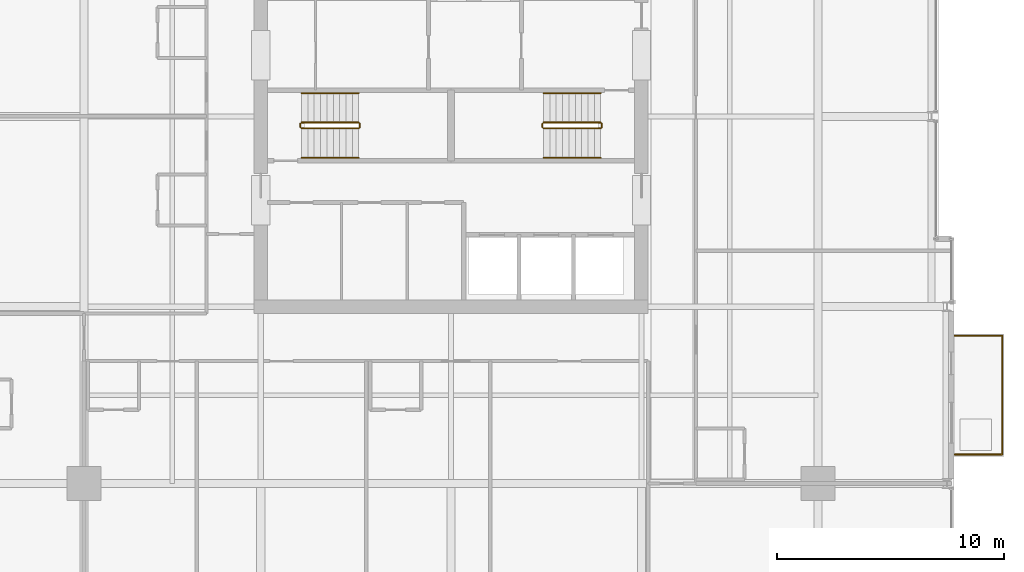
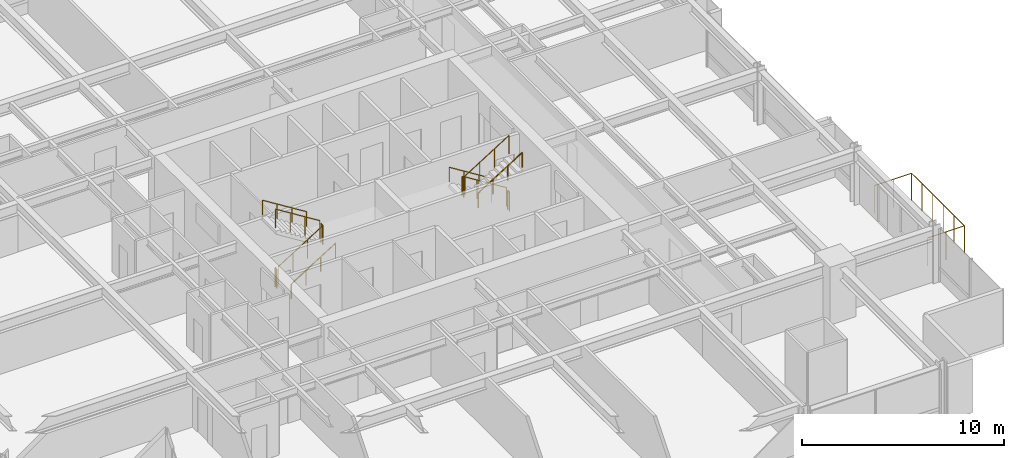
# One storey, part 32 of 33: 13 railings.
"""IFC4 building model written with IfcOpenShell, lengths in metres."""

import ifcopenshell
import ifcopenshell.guid

model = None  # the IFC model being written
_history = None  # IfcOwnerHistory: only IFC2X3 demands one
_inside = {}  # id of a spatial element -> (the spatial element, [elements in it])
_under = {}  # id of a project, library or spatial element -> (it, [spatial elements below it])
_declared = {}  # id of a project -> (the project, [libraries it declares])
_typed = {}  # id of a type object -> (the type object, [elements of that type])
_made_of = {}  # id of a material, layer set ... -> (it, [elements and type objects made of it])


def new_model(schema):
    """Start an empty IFC model of exactly this schema.

    Asked for "IFC4X3", IfcOpenShell would pick the latest addendum, in which some entities
    have other attributes; the version numbers below select the first issue.
    IFC2X3 requires an IfcOwnerHistory on every rooted entity: one is made here for all.
    """
    global model, _history
    if schema == "IFC4X3":
        model = ifcopenshell.file(schema_version=(4, 3, 0, 0))
    else:
        model = ifcopenshell.file(schema=schema)
    _inside.clear()
    _under.clear()
    _declared.clear()
    _typed.clear()
    _made_of.clear()
    _history = None
    if model.schema == "IFC2X3":
        org = make("IfcOrganization", Name="unknown")
        user = make(
            "IfcPersonAndOrganization",
            ThePerson=make("IfcPerson", FamilyName="unknown"),
            TheOrganization=org,
        )
        app = make(
            "IfcApplication",
            ApplicationDeveloper=org,
            Version="unknown",
            ApplicationFullName="unknown",
            ApplicationIdentifier="unknown",
        )
        _history = make(
            "IfcOwnerHistory",
            OwningUser=user,
            OwningApplication=app,
            ChangeAction="ADDED",
            CreationDate=0,
        )
    return model


def make(cls, **values):
    """One entity of the class cls with the attributes given. An attribute that is None is left unset."""
    return model.create_entity(
        cls, **{name: value for name, value in values.items() if value is not None}
    )


def rooted(cls, **values):
    """An entity with a GlobalId (a new one), such as an element, a storey or a relation."""
    return make(cls, GlobalId=ifcopenshell.guid.new(), OwnerHistory=_history, **values)


def si_unit(unit_type, name, prefix=None):
    """IfcSIUnit, for example si_unit("LENGTHUNIT", "METRE", prefix="MILLI")."""
    return make("IfcSIUnit", UnitType=unit_type, Prefix=prefix, Name=name)


def assignment(units):
    """IfcUnitAssignment: the units of a project."""
    return None if units is None else make("IfcUnitAssignment", Units=units)


def point(xyz):
    """IfcCartesianPoint."""
    return None if xyz is None else make("IfcCartesianPoint", Coordinates=xyz)


def direction(xyz):
    """IfcDirection."""
    return None if xyz is None else make("IfcDirection", DirectionRatios=xyz)


def frame(location, z_axis=None, x_axis=None):
    """IfcAxis2Placement3D, a coordinate frame: its origin and axes. An axis left out is left unset."""
    return make(
        "IfcAxis2Placement3D",
        Location=point(location),
        Axis=direction(z_axis),
        RefDirection=direction(x_axis),
    )


def frame_2d(location, x_axis=None):
    """IfcAxis2Placement2D, a coordinate frame in the plane: its origin and x axis."""
    return make(
        "IfcAxis2Placement2D", Location=point(location), RefDirection=direction(x_axis)
    )


def origin():
    """The frame at (0, 0, 0) with its axes left unset."""
    return frame((0.0, 0.0, 0.0))


def origin_2d():
    """The frame at (0, 0) in the plane with its x axis left unset."""
    return frame_2d((0.0, 0.0))


def place(relative_to, where):
    """IfcLocalPlacement: puts the frame where relative to a parent placement (None: the world)."""
    return make(
        "IfcLocalPlacement", PlacementRelTo=relative_to, RelativePlacement=where
    )


def context(
    kind, dimensions, precision=None, world=None, true_north=None, identifier=None
):
    """IfcGeometricRepresentationContext, for example the 3D "Model" context."""
    return make(
        "IfcGeometricRepresentationContext",
        ContextIdentifier=identifier,
        ContextType=kind,
        CoordinateSpaceDimension=dimensions,
        Precision=precision,
        WorldCoordinateSystem=world,
        TrueNorth=true_north,
    )


def subcontext(parent, identifier, kind, view, scale=None):
    """IfcGeometricRepresentationSubContext, for example "Body" below "Model"."""
    return make(
        "IfcGeometricRepresentationSubContext",
        ContextIdentifier=identifier,
        ContextType=kind,
        ParentContext=parent,
        TargetScale=scale,
        TargetView=view,
    )


def project(units=None, contexts=None):
    """IfcProject with its units and contexts."""
    return rooted(
        "IfcProject",
        Name="project",
        RepresentationContexts=contexts,
        UnitsInContext=assignment(units),
    )


def spatial(cls, under=None, at=None, **own):
    """A site, building, storey or space (cls), placed at a placement, below another one or the project."""
    s = rooted(cls, ObjectPlacement=at, **own)
    if under is not None:
        _under.setdefault(under.id(), (under, []))[1].append(s)
    return s


def profile(cls, at=None, kind="AREA", **sizes):
    """A parametric profile (cls). Its sizes go by their IFC names, for example OverallWidth=200.0."""
    return make(cls, ProfileType=kind, Position=at, **sizes)


def circle(**sizes):
    """IfcCircleProfileDef."""
    return profile("IfcCircleProfileDef", **sizes)


def extrude(swept, where, along, depth):
    """IfcExtrudedAreaSolid: the profile swept, set in the frame where, extruded along a direction by depth."""
    return make(
        "IfcExtrudedAreaSolid",
        SweptArea=swept,
        Position=where,
        ExtrudedDirection=direction(along),
        Depth=depth,
    )


def shape(context_of_items, identifier, shape_type, items):
    """IfcShapeRepresentation: the items that make up one representation, for example the "Body"."""
    return make(
        "IfcShapeRepresentation",
        ContextOfItems=context_of_items,
        RepresentationIdentifier=identifier,
        RepresentationType=shape_type,
        Items=items,
    )


def material(Name=None, Category=None):
    """IfcMaterial."""
    return make("IfcMaterial", Name=Name, Category=Category)


def made_of(thing, what):
    """Note that an element or type object is made of a material, layer set ...; save() writes the relation."""
    if what is not None:
        _made_of.setdefault(what.id(), (what, []))[1].append(thing)
    return thing


def type_object(cls, material=None, **own):
    """A type object (cls), such as IfcWallType, which elements share."""
    return made_of(rooted(cls, **own), material)


def element(
    cls,
    number,
    at=None,
    inside=None,
    cuts=None,
    type_object=None,
    material=None,
    context=None,
    identifier="Body",
    shape_type=None,
    held_by="IfcProductDefinitionShape",
    body=None,
    shapes=None,
    **own,
):
    """One element of the class cls, such as IfcWall. Its Tag is "e" and its number.

    at: its placement. inside: the storey or other place that contains it. cuts: it is an
    opening in that element (IfcRelVoidsElement). A single representation is given by context,
    identifier, shape_type and body (its items); several are given by shapes. held_by: the class
    of the entity that holds the representations. save() writes the other relations.
    """
    e = rooted(cls, Tag="e%d" % number, ObjectPlacement=at, **own)
    if body is not None:
        shapes = [shape(context, identifier, shape_type, body)]
    if shapes is not None:
        e.Representation = make(held_by, Representations=shapes)
    if inside is not None:
        _inside.setdefault(inside.id(), (inside, []))[1].append(e)
    if cuts is not None:
        rooted(
            "IfcRelVoidsElement", RelatingBuildingElement=cuts, RelatedOpeningElement=e
        )
    if type_object is not None:
        _typed.setdefault(type_object.id(), (type_object, []))[1].append(e)
    return made_of(e, material)


def aggregate(whole, parts):
    """IfcRelAggregates: a whole, such as a stair, and the parts it consists of."""
    return rooted("IfcRelAggregates", RelatingObject=whole, RelatedObjects=parts)


def save(model, path):
    """Write the relations noted so far, then the file.

    IfcRelAggregates (storeys below a building ...), IfcRelContainedInSpatialStructure (elements
    in a storey), IfcRelDefinesByType, IfcRelAssociatesMaterial and IfcRelDeclares: one each for
    every whole, place, type object, material and project.
    """
    for whole, parts in _under.values():
        aggregate(whole, parts)
    for where, things in _inside.values():
        rooted(
            "IfcRelContainedInSpatialStructure",
            RelatedElements=things,
            RelatingStructure=where,
        )
    for kind, things in _typed.values():
        rooted("IfcRelDefinesByType", RelatedObjects=things, RelatingType=kind)
    for what, things in _made_of.values():
        rooted("IfcRelAssociatesMaterial", RelatedObjects=things, RelatingMaterial=what)
    for by, libraries in _declared.values():
        rooted("IfcRelDeclares", RelatingContext=by, RelatedDefinitions=libraries)
    model.write(path)


model = new_model("IFC4")

# Units and contexts
model_context = context("Model", 3, precision=1e-05, world=origin(), true_north=direction((0.0, 1.0)))
body_context = subcontext(model_context, "Body", "Model", "MODEL_VIEW")
ifc_project = project(units=[si_unit("LENGTHUNIT", "METRE"), si_unit("AREAUNIT", "SQUARE_METRE"), si_unit("VOLUMEUNIT", "CUBIC_METRE"), si_unit("PLANEANGLEUNIT", "RADIAN"), si_unit("MASSUNIT", "GRAM", prefix="KILO")], contexts=[model_context])

# Site, building, storey
site_placement = place(None, origin())
site = spatial("IfcSite", under=ifc_project, at=site_placement, CompositionType="ELEMENT")
building_placement = place(site_placement, origin())
building = spatial("IfcBuilding", under=site, at=building_placement, Name="Drelvath Grand Hotel", CompositionType="ELEMENT")
storey_placement = place(building_placement, frame((0.0, 0.0, 119.800048828125)))
storey = spatial("IfcBuildingStorey", under=building, at=storey_placement, Name="L30", CompositionType="ELEMENT", Elevation=119.800048828125)

# Railings
ifc_material_1 = material(Name="Painted Steel S275", Category="steel")
railing_type_1 = type_object("IfcRailingType", Name="Core Stair Wall Handrail 900", PredefinedType="HANDRAIL", material=ifc_material_1)
railing_1_placement = place(storey_placement, frame((-6.60009765625, 25.169921875, 0.175048828125)))
element("IfcRailing", 1, at=railing_1_placement, inside=storey, type_object=railing_type_1, Name="L30 ST-1 stair handrail 1", PredefinedType="HANDRAIL", context=body_context, shape_type="SweptSolid", body=[
    extrude(circle(Radius=0.02392578125, at=origin_2d()), frame((0.0, 0.0, 0.8759765625), z_axis=(0.848007534815, 0.0, 0.529984170421), x_axis=(0.0, 1.0, 0.0)), (0.0, 0.0, 1.0), 2.9716796875),
    extrude(circle(Radius=0.02099609375, at=origin_2d()), origin(), (0.0, 0.0, 1.0), 0.851806640625),
    extrude(circle(Radius=0.02099609375, at=origin_2d()), frame((0.840087890625, 0.0, 0.52490234375)), (0.0, 0.0, 1.0), 0.851806640625),
    extrude(circle(Radius=0.02099609375, at=origin_2d()), frame((1.679931640625, 0.0, 1.050048828125)), (0.0, 0.0, 1.0), 0.851806640625),
    extrude(circle(Radius=0.02099609375, at=origin_2d()), frame((2.52001953125, 0.0, 1.574951171875)), (0.0, 0.0, 1.0), 0.851806640625),
])
for number, where, name in (
    (2, (-4.080078125, 28.030029296875, 1.925048828125), "L30 ST-1 stair handrail 2"),
    (3, (6.60009765625, 28.030029296875, 0.175048828125), "L30 ST-2 stair handrail 1"),
):
    element("IfcRailing", number, at=place(storey_placement, frame(where)), inside=storey, type_object=railing_type_1, Name=name, PredefinedType="HANDRAIL", context=body_context, shape_type="SweptSolid", body=[
        extrude(circle(Radius=0.02392578125, at=origin_2d()), frame((0.0, 0.0, 0.8759765625), z_axis=(-0.848007534815, 0.0, 0.529984170421), x_axis=(0.0, -1.0, 0.0)), (0.0, 0.0, 1.0), 2.9716796875),
        extrude(circle(Radius=0.02099609375, at=origin_2d()), origin(), (0.0, 0.0, 1.0), 0.851806640625),
        extrude(circle(Radius=0.02099609375, at=origin_2d()), frame((-0.840087890625, 0.0, 0.52490234375)), (0.0, 0.0, 1.0), 0.851806640625),
        extrude(circle(Radius=0.02099609375, at=origin_2d()), frame((-1.679931640625, 0.0, 1.050048828125)), (0.0, 0.0, 1.0), 0.851806640625),
        extrude(circle(Radius=0.02099609375, at=origin_2d()), frame((-2.52001953125, 0.0, 1.574951171875)), (0.0, 0.0, 1.0), 0.851806640625),
    ])
railing_2_placement = place(storey_placement, frame((4.080078125, 25.169921875, 1.925048828125)))
element("IfcRailing", 4, at=railing_2_placement, inside=storey, type_object=railing_type_1, Name="L30 ST-2 stair handrail 2", PredefinedType="HANDRAIL", context=body_context, shape_type="SweptSolid", body=[
    extrude(circle(Radius=0.02392578125, at=origin_2d()), frame((0.0, 0.0, 0.8759765625), z_axis=(0.848007534815, 0.0, 0.529984170421), x_axis=(0.0, 1.0, 0.0)), (0.0, 0.0, 1.0), 2.9716796875),
    extrude(circle(Radius=0.02099609375, at=origin_2d()), origin(), (0.0, 0.0, 1.0), 0.851806640625),
    extrude(circle(Radius=0.02099609375, at=origin_2d()), frame((0.840087890625, 0.0, 0.52490234375)), (0.0, 0.0, 1.0), 0.851806640625),
    extrude(circle(Radius=0.02099609375, at=origin_2d()), frame((1.679931640625, 0.0, 1.050048828125)), (0.0, 0.0, 1.0), 0.851806640625),
    extrude(circle(Radius=0.02099609375, at=origin_2d()), frame((2.52001953125, 0.0, 1.574951171875)), (0.0, 0.0, 1.0), 0.851806640625),
])
railing_type_2 = type_object("IfcRailingType", Name="Core Stair Well Guardrail 1100", PredefinedType="GUARDRAIL", material=ifc_material_1)
railing_3_placement = place(storey_placement, frame((-6.60009765625, 26.469970703125, 0.175048828125)))
element("IfcRailing", 5, at=railing_3_placement, inside=storey, type_object=railing_type_2, Name="L30 ST-1 stair guard 1", PredefinedType="GUARDRAIL", context=body_context, shape_type="SweptSolid", body=[
    extrude(circle(Radius=0.02392578125, at=origin_2d()), frame((0.0, 0.0, 1.1259765625), z_axis=(0.848007534815, 0.0, 0.529984170421), x_axis=(0.0, 1.0, 0.0)), (0.0, 0.0, 1.0), 2.9716796875),
    extrude(circle(Radius=0.02099609375, at=origin_2d()), origin(), (0.0, 0.0, 1.0), 1.101806640625),
    extrude(circle(Radius=0.02099609375, at=origin_2d()), frame((0.840087890625, 0.0, 0.52490234375)), (0.0, 0.0, 1.0), 1.101806640625),
    extrude(circle(Radius=0.02099609375, at=origin_2d()), frame((1.679931640625, 0.0, 1.050048828125)), (0.0, 0.0, 1.0), 1.101806640625),
    extrude(circle(Radius=0.02099609375, at=origin_2d()), frame((2.52001953125, 0.0, 1.574951171875)), (0.0, 0.0, 1.0), 1.101806640625),
])
railing_4_placement = place(storey_placement, frame((-4.030029296875, 26.52001953125, 1.75)))
element("IfcRailing", 6, at=railing_4_placement, inside=storey, type_object=railing_type_2, Name="L30 ST-1 stair guard 2", PredefinedType="GUARDRAIL", context=body_context, shape_type="SweptSolid", body=[
    extrude(circle(Radius=0.02392578125, at=origin_2d()), frame((0.0, 0.0, 1.1259765625), z_axis=(0.0, 1.0, 0.0), x_axis=(-1.0, 0.0, 0.0)), (0.0, 0.0, 1.0), 0.159912109375),
    extrude(circle(Radius=0.02099609375, at=origin_2d()), origin(), (0.0, 0.0, 1.0), 1.101806640625),
    extrude(circle(Radius=0.02099609375, at=origin_2d()), frame((0.0, 0.159912109375, 0.0)), (0.0, 0.0, 1.0), 1.101806640625),
])
railing_5_placement = place(storey_placement, frame((-4.080078125, 26.72998046875, 1.925048828125)))
element("IfcRailing", 7, at=railing_5_placement, inside=storey, type_object=railing_type_2, Name="L30 ST-1 stair guard 3", PredefinedType="GUARDRAIL", context=body_context, shape_type="SweptSolid", body=[
    extrude(circle(Radius=0.02392578125, at=origin_2d()), frame((0.0, 0.0, 1.1259765625), z_axis=(-0.848007534815, 0.0, 0.529984170421), x_axis=(0.0, -1.0, 0.0)), (0.0, 0.0, 1.0), 2.9716796875),
    extrude(circle(Radius=0.02099609375, at=origin_2d()), origin(), (0.0, 0.0, 1.0), 1.101806640625),
    extrude(circle(Radius=0.02099609375, at=origin_2d()), frame((-0.840087890625, 0.0, 0.52490234375)), (0.0, 0.0, 1.0), 1.101806640625),
    extrude(circle(Radius=0.02099609375, at=origin_2d()), frame((-1.679931640625, 0.0, 1.050048828125)), (0.0, 0.0, 1.0), 1.101806640625),
    extrude(circle(Radius=0.02099609375, at=origin_2d()), frame((-2.52001953125, 0.0, 1.574951171875)), (0.0, 0.0, 1.0), 1.101806640625),
])
railing_6_placement = place(storey_placement, frame((-6.64990234375, 26.52001953125, 0.0)))
element("IfcRailing", 8, at=railing_6_placement, inside=storey, type_object=railing_type_2, Name="L30 ST-1 stair guard 4", PredefinedType="GUARDRAIL", context=body_context, shape_type="SweptSolid", body=[
    extrude(circle(Radius=0.02392578125, at=origin_2d()), frame((0.0, 0.0, 1.1259765625), z_axis=(0.0, 1.0, 0.0), x_axis=(-1.0, 0.0, 0.0)), (0.0, 0.0, 1.0), 0.159912109375),
    extrude(circle(Radius=0.02099609375, at=origin_2d()), origin(), (0.0, 0.0, 1.0), 1.101806640625),
    extrude(circle(Radius=0.02099609375, at=origin_2d()), frame((0.0, 0.159912109375, 0.0)), (0.0, 0.0, 1.0), 1.101806640625),
])
railing_7_placement = place(storey_placement, frame((6.60009765625, 26.72998046875, 0.175048828125)))
element("IfcRailing", 9, at=railing_7_placement, inside=storey, type_object=railing_type_2, Name="L30 ST-2 stair guard 1", PredefinedType="GUARDRAIL", context=body_context, shape_type="SweptSolid", body=[
    extrude(circle(Radius=0.02392578125, at=origin_2d()), frame((0.0, 0.0, 1.1259765625), z_axis=(-0.848007534815, 0.0, 0.529984170421), x_axis=(0.0, -1.0, 0.0)), (0.0, 0.0, 1.0), 2.9716796875),
    extrude(circle(Radius=0.02099609375, at=origin_2d()), origin(), (0.0, 0.0, 1.0), 1.101806640625),
    extrude(circle(Radius=0.02099609375, at=origin_2d()), frame((-0.840087890625, 0.0, 0.52490234375)), (0.0, 0.0, 1.0), 1.101806640625),
    extrude(circle(Radius=0.02099609375, at=origin_2d()), frame((-1.679931640625, 0.0, 1.050048828125)), (0.0, 0.0, 1.0), 1.101806640625),
    extrude(circle(Radius=0.02099609375, at=origin_2d()), frame((-2.52001953125, 0.0, 1.574951171875)), (0.0, 0.0, 1.0), 1.101806640625),
])
railing_8_placement = place(storey_placement, frame((4.030029296875, 26.679931640625, 1.75)))
element("IfcRailing", 10, at=railing_8_placement, inside=storey, type_object=railing_type_2, Name="L30 ST-2 stair guard 2", PredefinedType="GUARDRAIL", context=body_context, shape_type="SweptSolid", body=[
    extrude(circle(Radius=0.02392578125, at=origin_2d()), frame((0.0, 0.0, 1.1259765625), z_axis=(0.0, -1.0, 0.0), x_axis=(1.0, 0.0, 0.0)), (0.0, 0.0, 1.0), 0.159912109375),
    extrude(circle(Radius=0.02099609375, at=origin_2d()), origin(), (0.0, 0.0, 1.0), 1.101806640625),
    extrude(circle(Radius=0.02099609375, at=origin_2d()), frame((0.0, -0.159912109375, 0.0)), (0.0, 0.0, 1.0), 1.101806640625),
])
railing_9_placement = place(storey_placement, frame((4.080078125, 26.469970703125, 1.925048828125)))
element("IfcRailing", 11, at=railing_9_placement, inside=storey, type_object=railing_type_2, Name="L30 ST-2 stair guard 3", PredefinedType="GUARDRAIL", context=body_context, shape_type="SweptSolid", body=[
    extrude(circle(Radius=0.02392578125, at=origin_2d()), frame((0.0, 0.0, 1.1259765625), z_axis=(0.848007534815, 0.0, 0.529984170421), x_axis=(0.0, 1.0, 0.0)), (0.0, 0.0, 1.0), 2.9716796875),
    extrude(circle(Radius=0.02099609375, at=origin_2d()), origin(), (0.0, 0.0, 1.0), 1.101806640625),
    extrude(circle(Radius=0.02099609375, at=origin_2d()), frame((0.840087890625, 0.0, 0.52490234375)), (0.0, 0.0, 1.0), 1.101806640625),
    extrude(circle(Radius=0.02099609375, at=origin_2d()), frame((1.679931640625, 0.0, 1.050048828125)), (0.0, 0.0, 1.0), 1.101806640625),
    extrude(circle(Radius=0.02099609375, at=origin_2d()), frame((2.52001953125, 0.0, 1.574951171875)), (0.0, 0.0, 1.0), 1.101806640625),
])
railing_10_placement = place(storey_placement, frame((6.64990234375, 26.679931640625, 0.0)))
element("IfcRailing", 12, at=railing_10_placement, inside=storey, type_object=railing_type_2, Name="L30 ST-2 stair guard 4", PredefinedType="GUARDRAIL", context=body_context, shape_type="SweptSolid", body=[
    extrude(circle(Radius=0.02392578125, at=origin_2d()), frame((0.0, 0.0, 1.1259765625), z_axis=(0.0, -1.0, 0.0), x_axis=(1.0, 0.0, 0.0)), (0.0, 0.0, 1.0), 0.159912109375),
    extrude(circle(Radius=0.02099609375, at=origin_2d()), origin(), (0.0, 0.0, 1.0), 1.101806640625),
    extrude(circle(Radius=0.02099609375, at=origin_2d()), frame((0.0, -0.159912109375, 0.0)), (0.0, 0.0, 1.0), 1.101806640625),
])
ifc_material_2 = material(Name="Anodised Aluminium and Laminated Glass Balustrade", Category="aluminium")
railing_type_3 = type_object("IfcRailingType", Name="Raised Planter Edge Balustrade 1700", PredefinedType="BALUSTRADE", material=ifc_material_2)
railing_11_placement = place(storey_placement, frame((22.219970703125, 12.080078125, 0.0)))
element("IfcRailing", 13, at=railing_11_placement, inside=storey, type_object=railing_type_3, Name="L30 Tree Balcony Perimeter Balustrade 1", PredefinedType="BALUSTRADE", context=body_context, shape_type="SweptSolid", body=[
    extrude(circle(Radius=0.02392578125, at=origin_2d()), frame((0.0, 0.0, 1.67578125), z_axis=(1.0, 0.0, 0.0), x_axis=(0.0, 1.0, 0.0)), (0.0, 0.0, 1.0), 2.10009765625),
    extrude(circle(Radius=0.02392578125, at=origin_2d()), frame((2.10009765625, 0.0, 1.67578125), z_axis=(0.0, 1.0, 0.0), x_axis=(-1.0, 0.0, 0.0)), (0.0, 0.0, 1.0), 5.239990234375),
    extrude(circle(Radius=0.02392578125, at=origin_2d()), frame((2.10009765625, 5.239990234375, 1.67578125), z_axis=(-1.0, 0.0, 0.0), x_axis=(0.0, -1.0, 0.0)), (0.0, 0.0, 1.0), 2.10009765625),
    extrude(circle(Radius=0.02099609375, at=origin_2d()), origin(), (0.0, 0.0, 1.0), 1.65185546875),
    extrude(circle(Radius=0.02099609375, at=origin_2d()), frame((1.050048828125, 0.0, 0.0)), (0.0, 0.0, 1.0), 1.65185546875),
    extrude(circle(Radius=0.02099609375, at=origin_2d()), frame((2.10009765625, 0.0, 0.0)), (0.0, 0.0, 1.0), 1.65185546875),
    extrude(circle(Radius=0.02099609375, at=origin_2d()), frame((2.10009765625, 1.048095703125, 0.0)), (0.0, 0.0, 1.0), 1.65185546875),
    extrude(circle(Radius=0.02099609375, at=origin_2d()), frame((2.10009765625, 2.095947265625, 0.0)), (0.0, 0.0, 1.0), 1.65185546875),
    extrude(circle(Radius=0.02099609375, at=origin_2d()), frame((2.10009765625, 3.14404296875, 0.0)), (0.0, 0.0, 1.0), 1.65185546875),
    extrude(circle(Radius=0.02099609375, at=origin_2d()), frame((2.10009765625, 4.19189453125, 0.0)), (0.0, 0.0, 1.0), 1.65185546875),
    extrude(circle(Radius=0.02099609375, at=origin_2d()), frame((2.10009765625, 5.239990234375, 0.0)), (0.0, 0.0, 1.0), 1.65185546875),
    extrude(circle(Radius=0.02099609375, at=origin_2d()), frame((1.050048828125, 5.239990234375, 0.0)), (0.0, 0.0, 1.0), 1.65185546875),
    extrude(circle(Radius=0.02099609375, at=origin_2d()), frame((0.0, 5.239990234375, 0.0)), (0.0, 0.0, 1.0), 1.65185546875),
])

save(model, "model.ifc")
